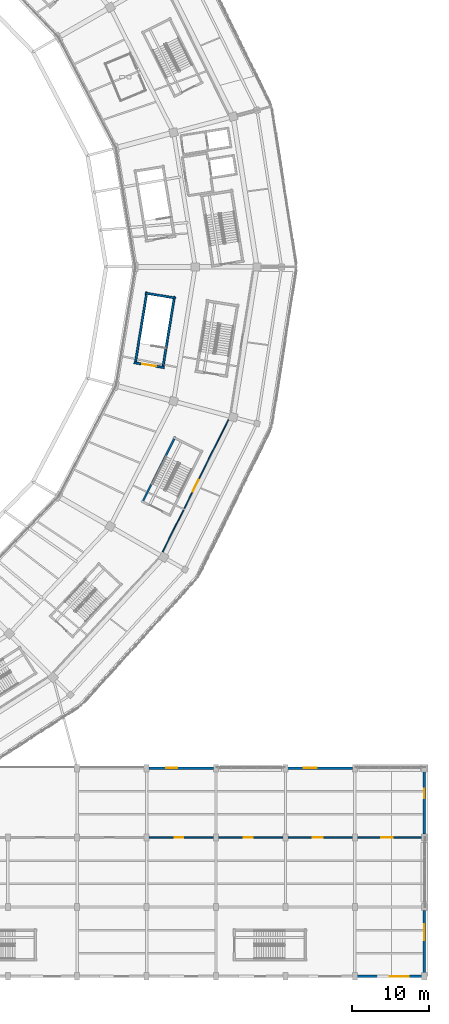
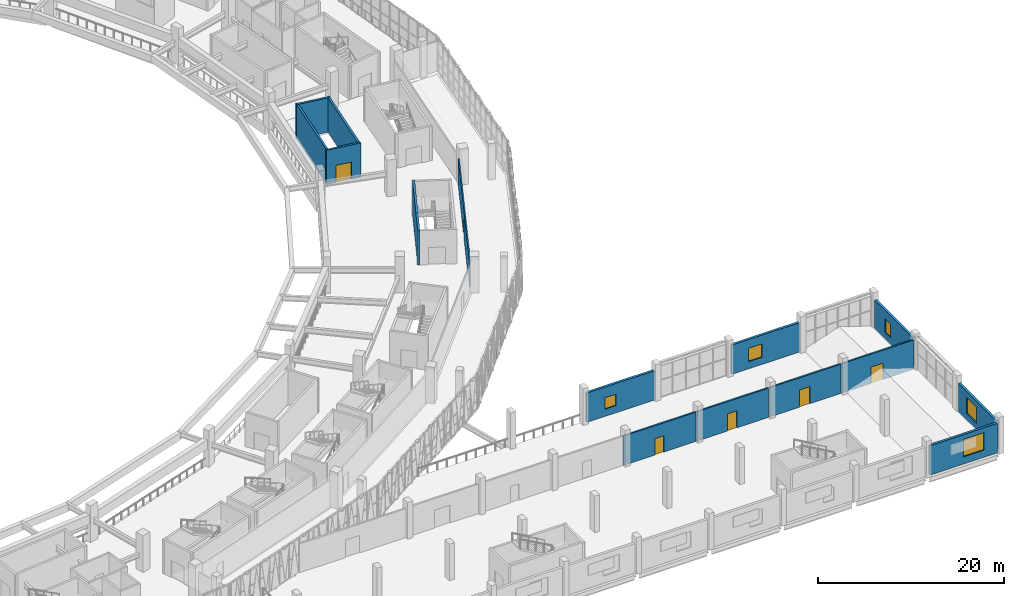
# One storey, part 104 of 179: 15 walls, 6 doors, 5 windows, 11 openings.
"""IFC4 building model written with IfcOpenShell, lengths in metres."""

from ifc_helpers import new_model, si_unit, direction, frame, frame_2d, origin, place, context, subcontext, project, spatial, rectangle, extrude, material, layer, layer_set, type_object, element, fill, save


model = new_model("IFC4")

# Units and contexts
model_context = context("Model", 3, precision=1e-05, world=origin(), true_north=direction((0.0, 1.0)))
body_context = subcontext(model_context, "Body", "Model", "MODEL_VIEW")
ifc_project = project(units=[si_unit("LENGTHUNIT", "METRE"), si_unit("AREAUNIT", "SQUARE_METRE"), si_unit("VOLUMEUNIT", "CUBIC_METRE"), si_unit("PLANEANGLEUNIT", "RADIAN"), si_unit("MASSUNIT", "GRAM", prefix="KILO")], contexts=[model_context])

# Site, building, storey
site_placement = place(None, origin())
site = spatial("IfcSite", under=ifc_project, at=site_placement, CompositionType="ELEMENT")
building_placement = place(site_placement, origin())
building = spatial("IfcBuilding", under=site, at=building_placement, Name="Zevraka Park Crest Stadium", CompositionType="ELEMENT")
storey_placement = place(building_placement, frame((0.0, 0.0, 10.199951171875)))
storey = spatial("IfcBuildingStorey", under=building, at=storey_placement, Name="L02", CompositionType="ELEMENT", Elevation=10.199951171875)

# Wall, opening, window
ifc_material_1 = material(Name="Limestone and red clay brick masonry", Category="masonry")
ifc_layer_1 = layer(ifc_material_1, 0.300048828125)
ifc_layer_set_1 = layer_set([ifc_layer_1], Name="Limestone and red clay brick masonry")
wall_type_1 = type_object("IfcWallType", Name="EW02", PredefinedType="STANDARD", material=ifc_layer_set_1)
wall_1_placement = place(storey_placement, frame((223.699951171875, 0.0, 0.0), z_axis=(0.0, 0.0, 1.0), x_axis=(-1.0, 0.0, 0.0)))
wall_1 = element("IfcWall", 1, at=wall_1_placement, inside=storey, type_object=wall_type_1, Name="Wing External Cavity Wall EW02 L02-SE-S1-1", PredefinedType="STANDARD", context=body_context, shape_type="SweptSolid", body=[
    extrude(rectangle(XDim=8.39990234375, YDim=0.300048828125, at=frame_2d((4.199951171875, 0.0))), origin(), (0.0, 0.0, 1.0), 3.85498046875),
])
opening_1_placement = place(wall_1_placement, frame((1.68994140625, 0.0, 0.949951171875)))
opening_1 = element("IfcOpeningElement", 2, at=opening_1_placement, cuts=wall_1, Name="Opening WN29", PredefinedType="OPENING", context=body_context, shape_type="SweptSolid", body=[
    extrude(rectangle(XDim=2.5, YDim=2.300048828125, at=frame_2d((1.25, 1.14990234375))), frame((0.0, 0.159912109375, 0.0), z_axis=(0.0, -1.0, 0.0), x_axis=(1.0, 0.0, 0.0)), (0.0, 0.0, 1.0), 0.320068359375),
])
ifc_material_2 = material(Name="Solar-control laminated double glazing in aluminium frame", Category="aluminium")
window_type_1 = type_object("IfcWindowType", Name="WN29", PartitioningType="SINGLE_PANEL", PredefinedType="WINDOW", material=ifc_material_2)
window_1_placement = place(opening_1_placement, origin())
window_1 = element("IfcWindow", 3, at=window_1_placement, inside=storey, type_object=window_type_1, Name="Facade Casement Window WN29 W-L02-111", OverallHeight=2.300048828125, OverallWidth=2.5, PartitioningType="SINGLE_PANEL", PredefinedType="WINDOW", context=body_context, shape_type="SweptSolid", body=[
    extrude(rectangle(XDim=2.5, YDim=2.300048828125, at=frame_2d((1.25, 1.14990234375))), frame((0.0, 0.030029296875, 0.0), z_axis=(0.0, -1.0, 0.0), x_axis=(1.0, 0.0, 0.0)), (0.0, 0.0, 1.0), 0.06005859375),
])
fill(opening_1, window_1)

wall_2_placement = place(storey_placement, frame((224.0, 26.550048828125, 0.0), z_axis=(0.0, 0.0, 1.0), x_axis=(0.0, -1.0, 0.0)))
wall_2 = element("IfcWall", 4, at=wall_2_placement, inside=storey, type_object=wall_type_1, Name="Wing External Cavity Wall EW02 L02-SE-E-1", PredefinedType="STANDARD", context=body_context, shape_type="SweptSolid", body=[
    extrude(rectangle(XDim=8.10009765625, YDim=0.300048828125, at=frame_2d((4.050048828125, 0.0))), origin(), (0.0, 0.0, 1.0), 3.817138671875),
])
opening_2_placement = place(wall_2_placement, frame((2.235107421875, 0.0, 0.949951171875)))
opening_2 = element("IfcOpeningElement", 5, at=opening_2_placement, cuts=wall_2, Name="Opening WN05", PredefinedType="OPENING", context=body_context, shape_type="SweptSolid", body=[
    extrude(rectangle(XDim=1.199951171875, YDim=1.800048828125, at=frame_2d((0.60009765625, 0.89990234375))), frame((0.0, 0.159912109375, 0.0), z_axis=(0.0, -1.0, 0.0), x_axis=(1.0, 0.0, 0.0)), (0.0, 0.0, 1.0), 0.320068359375),
])
ifc_material_3 = material(Name="Solar-control laminated double glazing in aluminium frame", Category="aluminium")
window_type_2 = type_object("IfcWindowType", Name="WN05", PartitioningType="SINGLE_PANEL", PredefinedType="WINDOW", material=ifc_material_3)
window_2_placement = place(opening_2_placement, origin())
window_2 = element("IfcWindow", 6, at=window_2_placement, inside=storey, type_object=window_type_2, Name="Facade Casement Window WN05 W-L02-128", OverallHeight=1.800048828125, OverallWidth=1.199951171875, PartitioningType="SINGLE_PANEL", PredefinedType="WINDOW", context=body_context, shape_type="SweptSolid", body=[
    extrude(rectangle(XDim=1.199951171875, YDim=1.800048828125, at=frame_2d((0.60009765625, 0.89990234375))), frame((0.0, 0.030029296875, 0.0), z_axis=(0.0, -1.0, 0.0), x_axis=(1.0, 0.0, 0.0)), (0.0, 0.0, 1.0), 0.06005859375),
])
fill(opening_2, window_2)

wall_3_placement = place(storey_placement, frame((224.0, 8.550048828125, 0.0), z_axis=(0.0, 0.0, 1.0), x_axis=(0.0, -1.0, 0.0)))
wall_3 = element("IfcWall", 7, at=wall_3_placement, inside=storey, type_object=wall_type_1, Name="Wing External Cavity Wall EW02 L02-SE-E-3", PredefinedType="STANDARD", context=body_context, shape_type="SweptSolid", body=[
    extrude(rectangle(XDim=8.10009765625, YDim=0.300048828125, at=frame_2d((4.050048828125, 0.0))), origin(), (0.0, 0.0, 1.0), 3.817138671875),
])
opening_3_placement = place(wall_3_placement, frame((1.784912109375, 0.0, 0.949951171875)))
opening_3 = element("IfcOpeningElement", 8, at=opening_3_placement, cuts=wall_3, Name="Opening WN06", PredefinedType="OPENING", context=body_context, shape_type="SweptSolid", body=[
    extrude(rectangle(XDim=2.10009765625, YDim=2.10009765625, at=frame_2d((1.050048828125, 1.050048828125))), frame((0.0, 0.159912109375, 0.0), z_axis=(0.0, -1.0, 0.0), x_axis=(1.0, 0.0, 0.0)), (0.0, 0.0, 1.0), 0.320068359375),
])
ifc_material_4 = material(Name="Solar-control laminated double glazing in aluminium frame", Category="aluminium")
window_type_3 = type_object("IfcWindowType", Name="WN06", PartitioningType="SINGLE_PANEL", PredefinedType="WINDOW", material=ifc_material_4)
window_3_placement = place(opening_3_placement, origin())
window_3 = element("IfcWindow", 9, at=window_3_placement, inside=storey, type_object=window_type_3, Name="Facade Casement Window WN06 W-L02-129", OverallHeight=2.10009765625, OverallWidth=2.10009765625, PartitioningType="SINGLE_PANEL", PredefinedType="WINDOW", context=body_context, shape_type="SweptSolid", body=[
    extrude(rectangle(XDim=2.10009765625, YDim=2.10009765625, at=frame_2d((1.050048828125, 1.050048828125))), frame((0.0, 0.030029296875, 0.0), z_axis=(0.0, -1.0, 0.0), x_axis=(1.0, 0.0, 0.0)), (0.0, 0.0, 1.0), 0.06005859375),
])
fill(opening_3, window_3)

wall_4_placement = place(storey_placement, frame((188.300048828125, 27.0, 0.0), z_axis=(0.0, 0.0, 1.0), x_axis=(1.0, 0.0, 0.0)))
wall_4 = element("IfcWall", 10, at=wall_4_placement, inside=storey, type_object=wall_type_1, Name="Wing External Cavity Wall EW02 L02-SE-N-1", PredefinedType="STANDARD", context=body_context, shape_type="SweptSolid", body=[
    extrude(rectangle(XDim=8.39990234375, YDim=0.300048828125, at=frame_2d((4.199951171875, 0.0))), origin(), (0.0, 0.0, 1.0), 3.85498046875),
])
opening_4_placement = place(wall_4_placement, frame((2.239990234375, 0.0, 0.949951171875)))
opening_4 = element("IfcOpeningElement", 11, at=opening_4_placement, cuts=wall_4, Name="Opening WN15", PredefinedType="OPENING", context=body_context, shape_type="SweptSolid", body=[
    extrude(rectangle(XDim=1.39990234375, YDim=1.5, at=frame_2d((0.699951171875, 0.75))), frame((0.0, 0.159912109375, 0.0), z_axis=(0.0, -1.0, 0.0), x_axis=(1.0, 0.0, 0.0)), (0.0, 0.0, 1.0), 0.320068359375),
])
ifc_material_5 = material(Name="Solar-control laminated double glazing in aluminium frame", Category="aluminium")
window_type_4 = type_object("IfcWindowType", Name="WN15", PartitioningType="SINGLE_PANEL", PredefinedType="WINDOW", material=ifc_material_5)
window_4_placement = place(opening_4_placement, origin())
window_4 = element("IfcWindow", 12, at=window_4_placement, inside=storey, type_object=window_type_4, Name="Facade Casement Window WN15 W-L02-138", OverallHeight=1.5, OverallWidth=1.39990234375, PartitioningType="SINGLE_PANEL", PredefinedType="WINDOW", context=body_context, shape_type="SweptSolid", body=[
    extrude(rectangle(XDim=1.39990234375, YDim=1.5, at=frame_2d((0.699951171875, 0.75))), frame((0.0, 0.030029296875, 0.0), z_axis=(0.0, -1.0, 0.0), x_axis=(1.0, 0.0, 0.0)), (0.0, 0.0, 1.0), 0.06005859375),
])
fill(opening_4, window_4)

wall_5_placement = place(storey_placement, frame((206.300048828125, 27.0, 0.0), z_axis=(0.0, 0.0, 1.0), x_axis=(1.0, 0.0, 0.0)))
wall_5 = element("IfcWall", 13, at=wall_5_placement, inside=storey, type_object=wall_type_1, Name="Wing External Cavity Wall EW02 L02-SE-N-3", PredefinedType="STANDARD", context=body_context, shape_type="SweptSolid", body=[
    extrude(rectangle(XDim=8.39990234375, YDim=0.300048828125, at=frame_2d((4.199951171875, 0.0))), origin(), (0.0, 0.0, 1.0), 3.85498046875),
])
opening_5_placement = place(wall_5_placement, frame((2.090087890625, 0.0, 0.949951171875)))
opening_5 = element("IfcOpeningElement", 14, at=opening_5_placement, cuts=wall_5, Name="Opening WN16", PredefinedType="OPENING", context=body_context, shape_type="SweptSolid", body=[
    extrude(rectangle(XDim=1.699951171875, YDim=1.75, at=frame_2d((0.85009765625, 0.875))), frame((0.0, 0.159912109375, 0.0), z_axis=(0.0, -1.0, 0.0), x_axis=(1.0, 0.0, 0.0)), (0.0, 0.0, 1.0), 0.320068359375),
])
ifc_material_6 = material(Name="Solar-control laminated double glazing in aluminium frame", Category="aluminium")
window_type_5 = type_object("IfcWindowType", Name="WN16", PartitioningType="SINGLE_PANEL", PredefinedType="WINDOW", material=ifc_material_6)
window_5_placement = place(opening_5_placement, origin())
window_5 = element("IfcWindow", 15, at=window_5_placement, inside=storey, type_object=window_type_5, Name="Facade Casement Window WN16 W-L02-139", OverallHeight=1.75, OverallWidth=1.699951171875, PartitioningType="SINGLE_PANEL", PredefinedType="WINDOW", context=body_context, shape_type="SweptSolid", body=[
    extrude(rectangle(XDim=1.699951171875, YDim=1.75, at=frame_2d((0.85009765625, 0.875))), frame((0.0, 0.030029296875, 0.0), z_axis=(0.0, -1.0, 0.0), x_axis=(1.0, 0.0, 0.0)), (0.0, 0.0, 1.0), 0.06005859375),
])
fill(opening_5, window_5)

# Wall, opening, door
ifc_material_7 = material(Name="Autoclaved aerated masonry blockwork", Category="masonry")
ifc_layer_2 = layer(ifc_material_7, 0.199951171875)
ifc_layer_set_2 = layer_set([ifc_layer_2], Name="Autoclaved aerated masonry blockwork")
wall_type_2 = type_object("IfcWallType", Name="IW01", PredefinedType="PARTITIONING", material=ifc_layer_set_2)
wall_6_placement = place(storey_placement, frame((187.675048828125, 18.0, 0.0), z_axis=(0.0, 0.0, 1.0), x_axis=(1.0, 0.0, 0.0)))
wall_6 = element("IfcWall", 16, at=wall_6_placement, inside=storey, type_object=wall_type_2, Name="Interior Partition IW01 HVAC Air-Handling Plant Room L02", PredefinedType="PARTITIONING", context=body_context, shape_type="SweptSolid", body=[
    extrude(rectangle(XDim=9.014892578125, YDim=0.199951171875, at=frame_2d((4.50732421875, 0.0))), origin(), (0.0, 0.0, 1.0), 3.85498046875),
])
opening_6_placement = place(wall_6_placement, frame((3.95703125, 0.0, 0.0)))
opening_6 = element("IfcOpeningElement", 17, at=opening_6_placement, cuts=wall_6, Name="Opening D-L02-439", PredefinedType="OPENING", context=body_context, shape_type="SweptSolid", body=[
    extrude(rectangle(XDim=1.10009765625, YDim=2.14990234375, at=frame_2d((0.550048828125, 1.074951171875))), frame((0.0, 0.10986328125, 0.0), z_axis=(0.0, -1.0, 0.0), x_axis=(1.0, 0.0, 0.0)), (0.0, 0.0, 1.0), 0.219970703125),
])
ifc_material_8 = material(Name="Solid-core hardwood timber leaf in steel frame", Category="steel")
door_type_1 = type_object("IfcDoorType", Name="DR10", OperationType="NOTDEFINED", PredefinedType="DOOR", material=ifc_material_8)
door_1_placement = place(opening_6_placement, origin())
door_1 = element("IfcDoor", 18, at=door_1_placement, inside=storey, type_object=door_type_1, Name="HVAC Air-Handling Plant Room Door D-L02-439", OperationType="SINGLE_SWING_LEFT", OverallHeight=2.14990234375, OverallWidth=1.10009765625, PredefinedType="DOOR", context=body_context, shape_type="SweptSolid", body=[
    extrude(rectangle(XDim=1.10009765625, YDim=2.14990234375, at=frame_2d((0.550048828125, 1.074951171875))), frame((0.0, 0.02490234375, 0.0), z_axis=(0.0, -1.0, 0.0), x_axis=(1.0, 0.0, 0.0)), (0.0, 0.0, 1.0), 0.050048828125),
])
fill(opening_6, door_1)

wall_7_placement = place(storey_placement, frame((196.675048828125, 18.0, 0.0), z_axis=(0.0, 0.0, 1.0), x_axis=(1.0, 0.0, 0.0)))
wall_7 = element("IfcWall", 19, at=wall_7_placement, inside=storey, type_object=wall_type_2, Name="Interior Partition IW01 HVAC Air-Handling Plant Room L02", PredefinedType="PARTITIONING", context=body_context, shape_type="SweptSolid", body=[
    extrude(rectangle(XDim=9.014892578125, YDim=0.199951171875, at=frame_2d((4.50732421875, 0.0))), origin(), (0.0, 0.0, 1.0), 3.85498046875),
])
opening_7_placement = place(wall_7_placement, frame((3.906982421875, 0.0, 0.0)))
opening_7 = element("IfcOpeningElement", 20, at=opening_7_placement, cuts=wall_7, Name="Opening D-L02-440", PredefinedType="OPENING", context=body_context, shape_type="SweptSolid", body=[
    extrude(rectangle(XDim=1.199951171875, YDim=2.25, at=frame_2d((0.60009765625, 1.125))), frame((0.0, 0.10986328125, 0.0), z_axis=(0.0, -1.0, 0.0), x_axis=(1.0, 0.0, 0.0)), (0.0, 0.0, 1.0), 0.219970703125),
])
ifc_material_9 = material(Name="Solid-core hardwood timber leaf in steel frame", Category="steel")
door_type_2 = type_object("IfcDoorType", Name="DR11", OperationType="NOTDEFINED", PredefinedType="DOOR", material=ifc_material_9)
door_2_placement = place(opening_7_placement, origin())
door_2 = element("IfcDoor", 21, at=door_2_placement, inside=storey, type_object=door_type_2, Name="HVAC Air-Handling Plant Room Door D-L02-440", OperationType="SINGLE_SWING_RIGHT", OverallHeight=2.25, OverallWidth=1.199951171875, PredefinedType="DOOR", context=body_context, shape_type="SweptSolid", body=[
    extrude(rectangle(XDim=1.199951171875, YDim=2.25, at=frame_2d((0.60009765625, 1.125))), frame((0.0, 0.02490234375, 0.0), z_axis=(0.0, -1.0, 0.0), x_axis=(1.0, 0.0, 0.0)), (0.0, 0.0, 1.0), 0.050048828125),
])
fill(opening_7, door_2)

wall_8_placement = place(storey_placement, frame((205.675048828125, 18.0, 0.0), z_axis=(0.0, 0.0, 1.0), x_axis=(1.0, 0.0, 0.0)))
wall_8 = element("IfcWall", 22, at=wall_8_placement, inside=storey, type_object=wall_type_2, Name="Interior Partition IW01 HVAC Air-Handling Plant Room L02", PredefinedType="PARTITIONING", context=body_context, shape_type="SweptSolid", body=[
    extrude(rectangle(XDim=9.014892578125, YDim=0.199951171875, at=frame_2d((4.50732421875, 0.0))), origin(), (0.0, 0.0, 1.0), 3.85498046875),
])
opening_8_placement = place(wall_8_placement, frame((3.85693359375, 0.0, 0.0)))
opening_8 = element("IfcOpeningElement", 23, at=opening_8_placement, cuts=wall_8, Name="Opening D-L02-441", PredefinedType="OPENING", context=body_context, shape_type="SweptSolid", body=[
    extrude(rectangle(XDim=1.300048828125, YDim=2.25, at=frame_2d((0.64990234375, 1.125))), frame((0.0, 0.10986328125, 0.0), z_axis=(0.0, -1.0, 0.0), x_axis=(1.0, 0.0, 0.0)), (0.0, 0.0, 1.0), 0.219970703125),
])
ifc_material_10 = material(Name="Solid-core hardwood timber leaf in steel frame", Category="steel")
door_type_3 = type_object("IfcDoorType", Name="DR12", OperationType="NOTDEFINED", PredefinedType="DOOR", material=ifc_material_10)
door_3_placement = place(opening_8_placement, origin())
door_3 = element("IfcDoor", 24, at=door_3_placement, inside=storey, type_object=door_type_3, Name="HVAC Air-Handling Plant Room Door D-L02-441", OperationType="SINGLE_SWING_LEFT", OverallHeight=2.25, OverallWidth=1.300048828125, PredefinedType="DOOR", context=body_context, shape_type="SweptSolid", body=[
    extrude(rectangle(XDim=1.300048828125, YDim=2.25, at=frame_2d((0.64990234375, 1.125))), frame((0.0, 0.02490234375, 0.0), z_axis=(0.0, -1.0, 0.0), x_axis=(1.0, 0.0, 0.0)), (0.0, 0.0, 1.0), 0.050048828125),
])
fill(opening_8, door_3)

wall_9_placement = place(storey_placement, frame((214.675048828125, 18.0, 0.0), z_axis=(0.0, 0.0, 1.0), x_axis=(1.0, 0.0, 0.0)))
wall_9 = element("IfcWall", 25, at=wall_9_placement, inside=storey, type_object=wall_type_2, Name="Interior Partition IW01 HVAC Air-Handling Plant Room L02", PredefinedType="PARTITIONING", context=body_context, shape_type="SweptSolid", body=[
    extrude(rectangle(XDim=9.014892578125, YDim=0.199951171875, at=frame_2d((4.50732421875, 0.0))), origin(), (0.0, 0.0, 1.0), 3.85498046875),
])
opening_9_placement = place(wall_9_placement, frame((3.757080078125, 0.0, 0.0)))
opening_9 = element("IfcOpeningElement", 26, at=opening_9_placement, cuts=wall_9, Name="Opening D-L02-442", PredefinedType="OPENING", context=body_context, shape_type="SweptSolid", body=[
    extrude(rectangle(XDim=1.5, YDim=2.14990234375, at=frame_2d((0.75, 1.074951171875))), frame((0.0, 0.10986328125, 0.0), z_axis=(0.0, -1.0, 0.0), x_axis=(1.0, 0.0, 0.0)), (0.0, 0.0, 1.0), 0.219970703125),
])
ifc_material_11 = material(Name="Solid-core hardwood timber leaf in steel frame", Category="steel")
door_type_4 = type_object("IfcDoorType", Name="DR13", OperationType="NOTDEFINED", PredefinedType="DOOR", material=ifc_material_11)
door_4_placement = place(opening_9_placement, origin())
door_4 = element("IfcDoor", 27, at=door_4_placement, inside=storey, type_object=door_type_4, Name="HVAC Air-Handling Plant Room Door D-L02-442", OperationType="DOUBLE_DOOR_SINGLE_SWING", OverallHeight=2.14990234375, OverallWidth=1.5, PredefinedType="DOOR", context=body_context, shape_type="SweptSolid", body=[
    extrude(rectangle(XDim=1.5, YDim=2.14990234375, at=frame_2d((0.75, 1.074951171875))), frame((0.0, 0.02490234375, 0.0), z_axis=(0.0, -1.0, 0.0), x_axis=(1.0, 0.0, 0.0)), (0.0, 0.0, 1.0), 0.050048828125),
])
fill(opening_9, door_4)

ifc_material_12 = material(Name="Fire-rated twin-stud acoustic drywall", Category="other")
ifc_layer_3 = layer(ifc_material_12, 0.139892578125)
ifc_layer_set_3 = layer_set([ifc_layer_3], Name="Fire-rated twin-stud acoustic drywall")
wall_type_3 = type_object("IfcWallType", Name="IW03", PredefinedType="PARTITIONING", material=ifc_layer_set_3)
wall_10_placement = place(storey_placement, frame((190.06591796875, 55.01806640625, 0.0), z_axis=(0.0, 0.0, 1.0), x_axis=(0.445193759993, 0.895434261162, 0.0)))
wall_10 = element("IfcWall", 28, at=wall_10_placement, inside=storey, type_object=wall_type_3, Name="Interior Partition IW03 Stadium Administration Office L02", PredefinedType="PARTITIONING", context=body_context, shape_type="SweptSolid", body=[
    extrude(rectangle(XDim=19.205322265625, YDim=0.139892578125, at=frame_2d((9.6025390625, 0.0))), origin(), (0.0, 0.0, 1.0), 3.56494140625),
])
opening_10_placement = place(wall_10_placement, frame((8.778076171875, 0.0, 0.0)))
opening_10 = element("IfcOpeningElement", 29, at=opening_10_placement, cuts=wall_10, Name="Opening D-L02-416", PredefinedType="OPENING", context=body_context, shape_type="SweptSolid", body=[
    extrude(rectangle(XDim=1.64990234375, YDim=2.25, at=frame_2d((0.824951171875, 1.125))), frame((0.0, 0.079833984375, 0.0), z_axis=(0.0, -1.0, 0.0), x_axis=(1.0, 0.0, 0.0)), (0.0, 0.0, 1.0), 0.159912109375),
])
ifc_material_13 = material(Name="Solid-core hardwood timber leaf in steel frame", Category="steel")
door_type_5 = type_object("IfcDoorType", Name="DR26", OperationType="NOTDEFINED", PredefinedType="DOOR", material=ifc_material_13)
door_5_placement = place(opening_10_placement, origin())
door_5 = element("IfcDoor", 30, at=door_5_placement, inside=storey, type_object=door_type_5, Name="Stadium Administration Office Door D-L02-416", OperationType="DOUBLE_DOOR_SINGLE_SWING", OverallHeight=2.25, OverallWidth=1.64990234375, PredefinedType="DOOR", context=body_context, shape_type="SweptSolid", body=[
    extrude(rectangle(XDim=1.64990234375, YDim=2.25, at=frame_2d((0.824951171875, 1.125))), frame((0.0, 0.02490234375, 0.0), z_axis=(0.0, -1.0, 0.0), x_axis=(1.0, 0.0, 0.0)), (0.0, 0.0, 1.0), 0.050048828125),
])
fill(opening_10, door_5)

# Walls
ifc_material_14 = material(Name="Concrete C40/50", Category="concrete")
ifc_layer_4 = layer(ifc_material_14, 0.25)
ifc_layer_set_4 = layer_set([ifc_layer_4], Name="Concrete C40/50")
wall_type_4 = type_object("IfcWallType", Name="SW01", PredefinedType="SHEAR", material=ifc_layer_set_4)
wall_11_placement = place(storey_placement, frame((191.70947265625, 69.98095703125, 0.0), z_axis=(0.0, 0.0, 1.0), x_axis=(-0.4479088042, -0.894079248792, 0.0)))
element("IfcWall", 31, at=wall_11_placement, inside=storey, type_object=wall_type_4, Name="Stair Core Shear Wall SW01 ST23 L02 right", PredefinedType="SHEAR", context=body_context, shape_type="SweptSolid", body=[
    extrude(rectangle(XDim=9.550048828125, YDim=0.25, at=frame_2d((4.77490234375, 0.0))), origin(), (0.0, 0.0, 1.0), 4.5),
])
for number, where, z_axis, x_axis, name in (
    (32, (190.0908203125, 78.84033203125, 0.0), (0.0, 0.0, 1.0), (0.160694331821, 0.987004220721, 0.0), "Stair Core Shear Wall SW01 ST44 L02 left"),
    (33, (188.03662109375, 88.749267578125, 0.0), (0.0, 0.0, 1.0), (-0.160719499634, -0.987000122815, 0.0), "Stair Core Shear Wall SW01 ST44 L02 right"),
):
    element("IfcWall", number, at=place(storey_placement, frame(where, z_axis=z_axis, x_axis=x_axis)), inside=storey, type_object=wall_type_4, Name=name, PredefinedType="SHEAR", context=body_context, shape_type="SweptSolid", body=[
        extrude(rectangle(XDim=9.449951171875, YDim=0.25, at=frame_2d((4.72509765625, 0.0))), origin(), (0.0, 0.0, 1.0), 4.5),
    ])

# Wall, opening, door
wall_12_placement = place(storey_placement, frame((186.3701171875, 79.57275390625, 0.0), z_axis=(0.0, 0.0, 1.0), x_axis=(0.987008406822, -0.160668618163, 0.0)))
wall_12 = element("IfcWall", 34, at=wall_12_placement, inside=storey, type_object=wall_type_4, Name="Stair Core Shear Wall SW01 ST44 L02 near", PredefinedType="SHEAR", context=body_context, shape_type="SweptSolid", body=[
    extrude(rectangle(XDim=3.9599609375, YDim=0.25, at=frame_2d((1.97998046875, 0.0))), origin(), (0.0, 0.0, 1.0), 4.5),
])
opening_11_placement = place(wall_12_placement, frame((1.080078125, 0.0, 0.0)))
opening_11 = element("IfcOpeningElement", 35, at=opening_11_placement, cuts=wall_12, Name="Opening D-L02-232", PredefinedType="OPENING", context=body_context, shape_type="SweptSolid", body=[
    extrude(rectangle(XDim=1.800048828125, YDim=2.25, at=frame_2d((0.89990234375, 1.125))), frame((0.0, 0.135009765625, 0.0), z_axis=(0.0, -1.0, 0.0), x_axis=(1.0, 0.0, 0.0)), (0.0, 0.0, 1.0), 0.27001953125),
])
ifc_material_15 = material(Name="Solid-core hardwood timber leaf in steel frame", Category="steel")
door_type_6 = type_object("IfcDoorType", Name="DR04", OperationType="NOTDEFINED", PredefinedType="DOOR", material=ifc_material_15)
door_6_placement = place(opening_11_placement, origin())
door_6 = element("IfcDoor", 36, at=door_6_placement, inside=storey, type_object=door_type_6, Name="Protected Stair Entry Door ST44 L02", OperationType="DOUBLE_DOOR_SINGLE_SWING", OverallHeight=2.25, OverallWidth=1.800048828125, PredefinedType="DOOR", context=body_context, shape_type="SweptSolid", body=[
    extrude(rectangle(XDim=1.800048828125, YDim=2.25, at=frame_2d((0.89990234375, 1.125))), frame((0.0, 0.02490234375, 0.0), z_axis=(0.0, -1.0, 0.0), x_axis=(1.0, 0.0, 0.0)), (0.0, 0.0, 1.0), 0.050048828125),
])
fill(opening_11, door_6)

# Wall
wall_13_placement = place(storey_placement, frame((191.74755859375, 87.957763671875, 0.0), z_axis=(0.0, 0.0, 1.0), x_axis=(-0.987008406822, 0.160668618163, 0.0)))
element("IfcWall", 37, at=wall_13_placement, inside=storey, type_object=wall_type_4, Name="Stair Core Shear Wall SW01 ST44 L02 far", PredefinedType="SHEAR", context=body_context, shape_type="SweptSolid", body=[
    extrude(rectangle(XDim=3.9599609375, YDim=0.25, at=frame_2d((1.97998046875, 0.0))), origin(), (0.0, 0.0, 1.0), 4.5),
])

save(model, "model.ifc")
